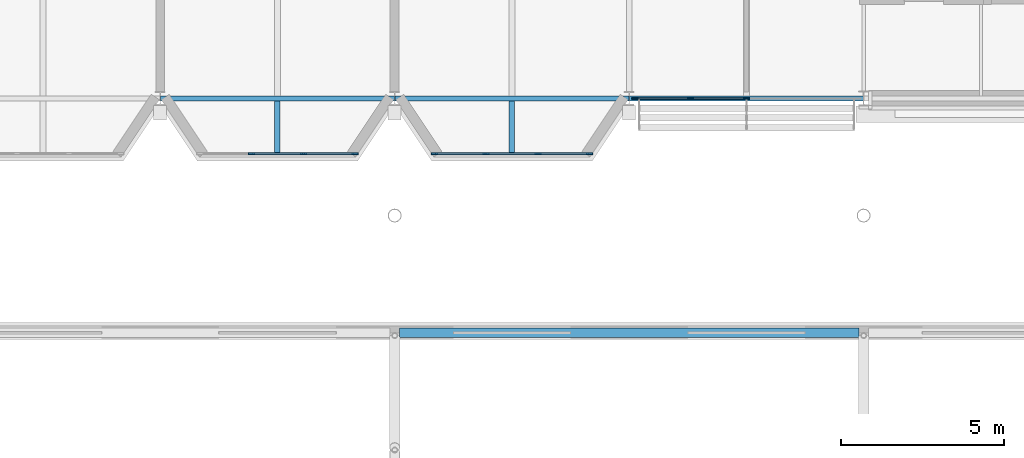
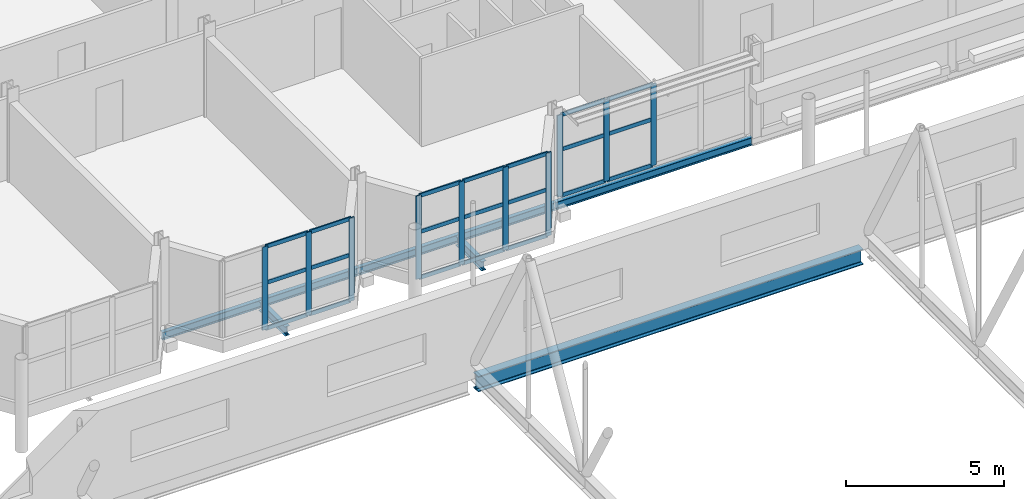
# One storey, part 50 of 142: 31 members, 6 beams, 3 elements without a shape of their own.
"""IFC4 building model written with IfcOpenShell, lengths in metres."""

from ifc_helpers import new_model, si_unit, direction, frame, origin, origin_2d, place, context, subcontext, project, spatial, rectangle, i_section, extrude, material, material_profile, profile_set, type_object, element, aggregate, save


model = new_model("IFC4")

# Units and contexts
model_context = context("Model", 3, precision=1e-05, world=origin(), true_north=direction((0.0, 1.0)))
body_context = subcontext(model_context, "Body", "Model", "MODEL_VIEW")
ifc_project = project(units=[si_unit("LENGTHUNIT", "METRE"), si_unit("AREAUNIT", "SQUARE_METRE"), si_unit("VOLUMEUNIT", "CUBIC_METRE"), si_unit("PLANEANGLEUNIT", "RADIAN"), si_unit("MASSUNIT", "GRAM", prefix="KILO")], contexts=[model_context])

# Site, building, storey
site_placement = place(None, origin())
site = spatial("IfcSite", under=ifc_project, at=site_placement, CompositionType="ELEMENT")
building_placement = place(site_placement, origin())
building = spatial("IfcBuilding", under=site, at=building_placement, Name="Kupolbacken Congress Centre", CompositionType="ELEMENT")
storey_placement = place(building_placement, frame((0.0, 0.0, 14.39990234375)))
storey = spatial("IfcBuildingStorey", under=building, at=storey_placement, Name="L04", CompositionType="ELEMENT", Elevation=14.39990234375)

# Beams
ifc_material_1 = material(Name="Steel S355", Category="steel")
ifc_material_profile_1 = material_profile(ifc_material_1, i_section(OverallWidth=0.14990234375, OverallDepth=0.300048828125, WebThickness=0.007080078125, FlangeThickness=0.0107421875, FilletRadius=0.014892578125, at=origin_2d()), Name="IPE 300")
ifc_profile_set_1 = profile_set([ifc_material_profile_1], Name="Steel S355")
beam_type_1 = type_object("IfcBeamType", Name="B04 beam IPE 300", PredefinedType="BEAM", material=ifc_profile_set_1)
beam_1_placement = place(storey_placement, frame((115.21044921875, 122.39990234375, -0.289794921875), z_axis=(1.0, 0.0, 0.0), x_axis=(0.0, 1.0, 0.0)))
element("IfcBeam", 1, at=beam_1_placement, inside=storey, type_object=beam_type_1, Name="S/floor/T/L04/R004", PredefinedType="BEAM", context=body_context, shape_type="SweptSolid", body=[
    extrude(i_section(OverallWidth=0.14990234375, OverallDepth=0.300048828125, WebThickness=0.007080078125, FlangeThickness=0.0107421875, FilletRadius=0.014892578125, at=origin_2d()), origin(), (0.0, 0.0, 1.0), 7.178955078125),
])
beam_2_placement = place(storey_placement, frame((122.410400390625, 122.39990234375, -0.289794921875), z_axis=(1.0, 0.0, 0.0), x_axis=(0.0, 1.0, 0.0)))
element("IfcBeam", 2, at=beam_2_placement, inside=storey, type_object=beam_type_1, Name="S/floor/T/L04/R005", PredefinedType="BEAM", context=body_context, shape_type="SweptSolid", body=[
    extrude(i_section(OverallWidth=0.14990234375, OverallDepth=0.300048828125, WebThickness=0.007080078125, FlangeThickness=0.0107421875, FilletRadius=0.014892578125, at=origin_2d()), origin(), (0.0, 0.0, 1.0), 7.17919921875),
])
beam_3_placement = place(storey_placement, frame((129.610595703125, 122.39990234375, -0.289794921875), z_axis=(1.0, 0.0, 0.0), x_axis=(0.0, 1.0, 0.0)))
element("IfcBeam", 3, at=beam_3_placement, inside=storey, type_object=beam_type_1, Name="S/floor/T/L04/R006", PredefinedType="BEAM", context=body_context, shape_type="SweptSolid", body=[
    extrude(i_section(OverallWidth=0.14990234375, OverallDepth=0.300048828125, WebThickness=0.007080078125, FlangeThickness=0.0107421875, FilletRadius=0.014892578125, at=origin_2d()), origin(), (0.0, 0.0, 1.0), 7.182373046875),
])
ifc_material_2 = material(Name="Steel S355", Category="steel")
ifc_material_profile_2 = material_profile(ifc_material_2, i_section(OverallWidth=0.169921875, OverallDepth=0.360107421875, WebThickness=0.008056640625, FlangeThickness=0.0126953125, FilletRadius=0.01806640625, at=origin_2d()), Name="IPE 360")
ifc_profile_set_2 = profile_set([ifc_material_profile_2], Name="Steel S355")
beam_type_2 = type_object("IfcBeamType", Name="B06 beam IPE 360", PredefinedType="BEAM", material=ifc_profile_set_2)
for number, where, z_axis, x_axis, name in (
    (4, (118.800048828125, 122.324951171875, -0.31982421875), (0.0, -1.0, 0.0), (1.0, 0.0, 0.0), "S/floor/T/L04/C087"),
    (5, (126.0, 122.324951171875, -0.31982421875), (0.0, -1.0, 0.0), (1.0, 0.0, 0.0), "S/floor/T/L04/C089"),
):
    element("IfcBeam", number, at=place(storey_placement, frame(where, z_axis=z_axis, x_axis=x_axis)), inside=storey, type_object=beam_type_2, Name=name, PredefinedType="BEAM", context=body_context, shape_type="SweptSolid", body=[
        extrude(i_section(OverallWidth=0.169921875, OverallDepth=0.360107421875, WebThickness=0.008056640625, FlangeThickness=0.0126953125, FilletRadius=0.01806640625, at=origin_2d()), origin(), (0.0, 0.0, 1.0), 1.6650390625),
    ])
ifc_material_3 = material(Name="Steel S355", Category="steel")
ifc_material_profile_3 = material_profile(ifc_material_3, i_section(OverallWidth=0.300048828125, OverallDepth=0.60009765625, WebThickness=0.015380859375, FlangeThickness=0.030029296875, FilletRadius=0.027099609375, at=origin_2d()), Name="HEB 600")
ifc_profile_set_3 = profile_set([ifc_material_profile_3], Name="Steel S355")
beam_type_3 = type_object("IfcBeamType", Name="B15 beam HEB 600", PredefinedType="BEAM", material=ifc_profile_set_3)
beam_4_placement = place(storey_placement, frame((122.550048828125, 115.199951171875, -0.2998046875), z_axis=(1.0, 0.0, 0.0), x_axis=(0.0, 1.0, 0.0)))
element("IfcBeam", 6, at=beam_4_placement, inside=storey, type_object=beam_type_3, Name="Edge girder", PredefinedType="BEAM", context=body_context, shape_type="SweptSolid", body=[
    extrude(i_section(OverallWidth=0.300048828125, OverallDepth=0.60009765625, WebThickness=0.015380859375, FlangeThickness=0.030029296875, FilletRadius=0.027099609375, at=origin_2d()), origin(), (0.0, 0.0, 1.0), 14.099853515625),
])

# Curtain wall, members
ifc_material_4 = material(Name="Aluminium mullion-transom frame with glass", Category="aluminium")
curtain_wall_type = type_object("IfcCurtainWallType", Name="CW1 curtain wall 7200x3600", PredefinedType="NOTDEFINED", material=ifc_material_4)
curtain_wall_1_placement = place(storey_placement, origin())
curtain_wall_1 = element("IfcCurtainWall", 7, at=curtain_wall_1_placement, inside=storey, type_object=curtain_wall_type, Name="E/T/S/L04/057/g0", PredefinedType="NOTDEFINED")
ifc_material_5 = material(Name="Aluminium alloy", Category="aluminium")
ifc_material_profile_4 = material_profile(ifc_material_5, rectangle(XDim=0.050048828125, YDim=0.199951171875, at=origin_2d()), Name="50 x 200")
ifc_profile_set_4 = profile_set([ifc_material_profile_4], Name="Aluminium alloy")
member_type_1 = type_object("IfcMemberType", Name="MU2 mullion 50x200", PredefinedType="MULLION", material=ifc_profile_set_4)
member_1_placement = place(storey_placement, frame((129.778564453125, 122.39990234375, 0.0), z_axis=(0.0, 0.0, 1.0), x_axis=(0.0, 1.0, 0.0)))
member_1 = element("IfcMember", 8, at=member_1_placement, type_object=member_type_1, Name="CW1 mullion 1", PredefinedType="MULLION", context=body_context, shape_type="SweptSolid", body=[
    extrude(rectangle(XDim=0.050048828125, YDim=0.199951171875, at=origin_2d()), origin(), (0.0, 0.0, 1.0), 3.16015625),
])
member_2_placement = place(storey_placement, frame((131.4775390625, 122.39990234375, 0.0), z_axis=(0.0, 0.0, 1.0), x_axis=(0.0, 1.0, 0.0)))
member_2 = element("IfcMember", 9, at=member_2_placement, type_object=member_type_1, Name="CW1 mullion 2", PredefinedType="MULLION", context=body_context, shape_type="SweptSolid", body=[
    extrude(rectangle(XDim=0.050048828125, YDim=0.199951171875, at=origin_2d()), origin(), (0.0, 0.0, 1.0), 3.16015625),
])
member_3_placement = place(storey_placement, frame((133.20166015625, 122.39990234375, 0.0), z_axis=(0.0, 0.0, 1.0), x_axis=(0.0, 1.0, 0.0)))
member_3 = element("IfcMember", 10, at=member_3_placement, type_object=member_type_1, Name="CW1 mullion 3", PredefinedType="MULLION", context=body_context, shape_type="SweptSolid", body=[
    extrude(rectangle(XDim=0.050048828125, YDim=0.199951171875, at=origin_2d()), origin(), (0.0, 0.0, 1.0), 3.16015625),
])

curtain_wall_2_placement = place(storey_placement, origin())
curtain_wall_2 = element("IfcCurtainWall", 11, at=curtain_wall_2_placement, inside=storey, type_object=curtain_wall_type, Name="E/T/cumba/L04/S/016/cw", PredefinedType="NOTDEFINED")
member_4_placement = place(storey_placement, frame((118.0, 120.699951171875, 0.0), z_axis=(0.0, 0.0, 1.0), x_axis=(0.0, 1.0, 0.0)))
member_4 = element("IfcMember", 12, at=member_4_placement, type_object=member_type_1, Name="CW1 mullion 2", PredefinedType="MULLION", context=body_context, shape_type="SweptSolid", body=[
    extrude(rectangle(XDim=0.050048828125, YDim=0.199951171875, at=origin_2d()), origin(), (0.0, 0.0, 1.0), 3.22021484375),
])
member_5_placement = place(storey_placement, frame((119.60009765625, 120.699951171875, 0.0), z_axis=(0.0, 0.0, 1.0), x_axis=(0.0, 1.0, 0.0)))
member_5 = element("IfcMember", 13, at=member_5_placement, type_object=member_type_1, Name="CW1 mullion 3", PredefinedType="MULLION", context=body_context, shape_type="SweptSolid", body=[
    extrude(rectangle(XDim=0.050048828125, YDim=0.199951171875, at=origin_2d()), origin(), (0.0, 0.0, 1.0), 3.22021484375),
])
member_6_placement = place(storey_placement, frame((121.175048828125, 120.699951171875, 0.0), z_axis=(0.0, 0.0, 1.0), x_axis=(0.0, 1.0, 0.0)))
member_6 = element("IfcMember", 14, at=member_6_placement, type_object=member_type_1, Name="CW1 mullion 4", PredefinedType="MULLION", context=body_context, shape_type="SweptSolid", body=[
    extrude(rectangle(XDim=0.050048828125, YDim=0.199951171875, at=origin_2d()), origin(), (0.0, 0.0, 1.0), 3.22021484375),
])

curtain_wall_3_placement = place(storey_placement, origin())
curtain_wall_3 = element("IfcCurtainWall", 15, at=curtain_wall_3_placement, inside=storey, type_object=curtain_wall_type, Name="E/T/cumba/L04/S/020/cw", PredefinedType="NOTDEFINED")
member_7_placement = place(storey_placement, frame((123.625, 120.699951171875, 0.0), z_axis=(0.0, 0.0, 1.0), x_axis=(0.0, 1.0, 0.0)))
member_7 = element("IfcMember", 16, at=member_7_placement, type_object=member_type_1, Name="CW1 mullion 1", PredefinedType="MULLION", context=body_context, shape_type="SweptSolid", body=[
    extrude(rectangle(XDim=0.050048828125, YDim=0.199951171875, at=origin_2d()), origin(), (0.0, 0.0, 1.0), 3.22021484375),
])
member_8_placement = place(storey_placement, frame((125.199951171875, 120.699951171875, 0.0), z_axis=(0.0, 0.0, 1.0), x_axis=(0.0, 1.0, 0.0)))
member_8 = element("IfcMember", 17, at=member_8_placement, type_object=member_type_1, Name="CW1 mullion 2", PredefinedType="MULLION", context=body_context, shape_type="SweptSolid", body=[
    extrude(rectangle(XDim=0.050048828125, YDim=0.199951171875, at=origin_2d()), origin(), (0.0, 0.0, 1.0), 3.22021484375),
])
member_9_placement = place(storey_placement, frame((126.800048828125, 120.699951171875, 0.0), z_axis=(0.0, 0.0, 1.0), x_axis=(0.0, 1.0, 0.0)))
member_9 = element("IfcMember", 18, at=member_9_placement, type_object=member_type_1, Name="CW1 mullion 3", PredefinedType="MULLION", context=body_context, shape_type="SweptSolid", body=[
    extrude(rectangle(XDim=0.050048828125, YDim=0.199951171875, at=origin_2d()), origin(), (0.0, 0.0, 1.0), 3.22021484375),
])
member_10_placement = place(storey_placement, frame((128.375, 120.699951171875, 0.0), z_axis=(0.0, 0.0, 1.0), x_axis=(0.0, 1.0, 0.0)))
member_10 = element("IfcMember", 19, at=member_10_placement, type_object=member_type_1, Name="CW1 mullion 4", PredefinedType="MULLION", context=body_context, shape_type="SweptSolid", body=[
    extrude(rectangle(XDim=0.050048828125, YDim=0.199951171875, at=origin_2d()), origin(), (0.0, 0.0, 1.0), 3.22021484375),
])

# Member
ifc_material_6 = material(Name="Aluminium alloy", Category="aluminium")
ifc_material_profile_5 = material_profile(ifc_material_6, rectangle(XDim=0.050048828125, YDim=0.14990234375, at=origin_2d()), Name="50 x 150")
ifc_profile_set_5 = profile_set([ifc_material_profile_5], Name="Aluminium alloy")
member_type_2 = type_object("IfcMemberType", Name="TR2 transom 50x150", PredefinedType="MULLION", material=ifc_profile_set_5)
member_11_placement = place(storey_placement, frame((129.803466796875, 122.39990234375, 0.025146484375), z_axis=(1.0, 0.0, 0.0), x_axis=(0.0, 1.0, 0.0)))
member_11 = element("IfcMember", 20, at=member_11_placement, type_object=member_type_2, Name="CW1 transom 1.1", PredefinedType="MULLION", context=body_context, shape_type="SweptSolid", body=[
    extrude(rectangle(XDim=0.050048828125, YDim=0.14990234375, at=origin_2d()), origin(), (0.0, 0.0, 1.0), 1.649169921875),
])

member_12_placement = place(storey_placement, frame((129.803466796875, 122.39990234375, 1.800048828125), z_axis=(1.0, 0.0, 0.0), x_axis=(0.0, 1.0, 0.0)))
member_12 = element("IfcMember", 21, at=member_12_placement, type_object=member_type_2, Name="CW1 transom 1.2", PredefinedType="MULLION", context=body_context, shape_type="SweptSolid", body=[
    extrude(rectangle(XDim=0.050048828125, YDim=0.14990234375, at=origin_2d()), origin(), (0.0, 0.0, 1.0), 1.649169921875),
])

member_13_placement = place(storey_placement, frame((129.803466796875, 122.39990234375, 3.135009765625), z_axis=(1.0, 0.0, 0.0), x_axis=(0.0, 1.0, 0.0)))
member_13 = element("IfcMember", 22, at=member_13_placement, type_object=member_type_2, Name="CW1 transom 1.3", PredefinedType="MULLION", context=body_context, shape_type="SweptSolid", body=[
    extrude(rectangle(XDim=0.050048828125, YDim=0.14990234375, at=origin_2d()), origin(), (0.0, 0.0, 1.0), 1.649169921875),
])

member_14_placement = place(storey_placement, frame((131.502685546875, 122.39990234375, 0.025146484375), z_axis=(1.0, 0.0, 0.0), x_axis=(0.0, 1.0, 0.0)))
member_14 = element("IfcMember", 23, at=member_14_placement, type_object=member_type_2, Name="CW1 transom 2.1", PredefinedType="MULLION", context=body_context, shape_type="SweptSolid", body=[
    extrude(rectangle(XDim=0.050048828125, YDim=0.14990234375, at=origin_2d()), origin(), (0.0, 0.0, 1.0), 1.674072265625),
])

member_15_placement = place(storey_placement, frame((131.502685546875, 122.39990234375, 1.800048828125), z_axis=(1.0, 0.0, 0.0), x_axis=(0.0, 1.0, 0.0)))
member_15 = element("IfcMember", 24, at=member_15_placement, type_object=member_type_2, Name="CW1 transom 2.2", PredefinedType="MULLION", context=body_context, shape_type="SweptSolid", body=[
    extrude(rectangle(XDim=0.050048828125, YDim=0.14990234375, at=origin_2d()), origin(), (0.0, 0.0, 1.0), 1.674072265625),
])

member_16_placement = place(storey_placement, frame((131.502685546875, 122.39990234375, 3.135009765625), z_axis=(1.0, 0.0, 0.0), x_axis=(0.0, 1.0, 0.0)))
member_16 = element("IfcMember", 25, at=member_16_placement, type_object=member_type_2, Name="CW1 transom 2.3", PredefinedType="MULLION", context=body_context, shape_type="SweptSolid", body=[
    extrude(rectangle(XDim=0.050048828125, YDim=0.14990234375, at=origin_2d()), origin(), (0.0, 0.0, 1.0), 1.674072265625),
])

aggregate(curtain_wall_1, [member_1, member_2, member_3, member_11, member_12, member_13, member_14, member_15, member_16])

member_17_placement = place(storey_placement, frame((118.02490234375, 120.699951171875, 0.025146484375), z_axis=(1.0, 0.0, 0.0), x_axis=(0.0, 1.0, 0.0)))
member_17 = element("IfcMember", 26, at=member_17_placement, type_object=member_type_2, Name="CW1 transom 2.1", PredefinedType="MULLION", context=body_context, shape_type="SweptSolid", body=[
    extrude(rectangle(XDim=0.050048828125, YDim=0.14990234375, at=origin_2d()), origin(), (0.0, 0.0, 1.0), 1.550048828125),
])

member_18_placement = place(storey_placement, frame((118.02490234375, 120.699951171875, 1.800048828125), z_axis=(1.0, 0.0, 0.0), x_axis=(0.0, 1.0, 0.0)))
member_18 = element("IfcMember", 27, at=member_18_placement, type_object=member_type_2, Name="CW1 transom 2.2", PredefinedType="MULLION", context=body_context, shape_type="SweptSolid", body=[
    extrude(rectangle(XDim=0.050048828125, YDim=0.14990234375, at=origin_2d()), origin(), (0.0, 0.0, 1.0), 1.550048828125),
])

member_19_placement = place(storey_placement, frame((118.02490234375, 120.699951171875, 3.195068359375), z_axis=(1.0, 0.0, 0.0), x_axis=(0.0, 1.0, 0.0)))
member_19 = element("IfcMember", 28, at=member_19_placement, type_object=member_type_2, Name="CW1 transom 2.3", PredefinedType="MULLION", context=body_context, shape_type="SweptSolid", body=[
    extrude(rectangle(XDim=0.050048828125, YDim=0.14990234375, at=origin_2d()), origin(), (0.0, 0.0, 1.0), 1.550048828125),
])

member_20_placement = place(storey_placement, frame((119.625, 120.699951171875, 0.025146484375), z_axis=(1.0, 0.0, 0.0), x_axis=(0.0, 1.0, 0.0)))
member_20 = element("IfcMember", 29, at=member_20_placement, type_object=member_type_2, Name="CW1 transom 3.1", PredefinedType="MULLION", context=body_context, shape_type="SweptSolid", body=[
    extrude(rectangle(XDim=0.050048828125, YDim=0.14990234375, at=origin_2d()), origin(), (0.0, 0.0, 1.0), 1.52490234375),
])

member_21_placement = place(storey_placement, frame((119.625, 120.699951171875, 1.800048828125), z_axis=(1.0, 0.0, 0.0), x_axis=(0.0, 1.0, 0.0)))
member_21 = element("IfcMember", 30, at=member_21_placement, type_object=member_type_2, Name="CW1 transom 3.2", PredefinedType="MULLION", context=body_context, shape_type="SweptSolid", body=[
    extrude(rectangle(XDim=0.050048828125, YDim=0.14990234375, at=origin_2d()), origin(), (0.0, 0.0, 1.0), 1.52490234375),
])

member_22_placement = place(storey_placement, frame((119.625, 120.699951171875, 3.195068359375), z_axis=(1.0, 0.0, 0.0), x_axis=(0.0, 1.0, 0.0)))
member_22 = element("IfcMember", 31, at=member_22_placement, type_object=member_type_2, Name="CW1 transom 3.3", PredefinedType="MULLION", context=body_context, shape_type="SweptSolid", body=[
    extrude(rectangle(XDim=0.050048828125, YDim=0.14990234375, at=origin_2d()), origin(), (0.0, 0.0, 1.0), 1.52490234375),
])

aggregate(curtain_wall_2, [member_4, member_5, member_6, member_17, member_18, member_19, member_20, member_21, member_22])

member_23_placement = place(storey_placement, frame((123.64990234375, 120.699951171875, 0.025146484375), z_axis=(1.0, 0.0, 0.0), x_axis=(0.0, 1.0, 0.0)))
member_23 = element("IfcMember", 32, at=member_23_placement, type_object=member_type_2, Name="CW1 transom 1.1", PredefinedType="MULLION", context=body_context, shape_type="SweptSolid", body=[
    extrude(rectangle(XDim=0.050048828125, YDim=0.14990234375, at=origin_2d()), origin(), (0.0, 0.0, 1.0), 1.525146484375),
])

member_24_placement = place(storey_placement, frame((123.64990234375, 120.699951171875, 1.800048828125), z_axis=(1.0, 0.0, 0.0), x_axis=(0.0, 1.0, 0.0)))
member_24 = element("IfcMember", 33, at=member_24_placement, type_object=member_type_2, Name="CW1 transom 1.2", PredefinedType="MULLION", context=body_context, shape_type="SweptSolid", body=[
    extrude(rectangle(XDim=0.050048828125, YDim=0.14990234375, at=origin_2d()), origin(), (0.0, 0.0, 1.0), 1.525146484375),
])

member_25_placement = place(storey_placement, frame((123.64990234375, 120.699951171875, 3.195068359375), z_axis=(1.0, 0.0, 0.0), x_axis=(0.0, 1.0, 0.0)))
member_25 = element("IfcMember", 34, at=member_25_placement, type_object=member_type_2, Name="CW1 transom 1.3", PredefinedType="MULLION", context=body_context, shape_type="SweptSolid", body=[
    extrude(rectangle(XDim=0.050048828125, YDim=0.14990234375, at=origin_2d()), origin(), (0.0, 0.0, 1.0), 1.525146484375),
])

member_26_placement = place(storey_placement, frame((125.22509765625, 120.699951171875, 0.025146484375), z_axis=(1.0, 0.0, 0.0), x_axis=(0.0, 1.0, 0.0)))
member_26 = element("IfcMember", 35, at=member_26_placement, type_object=member_type_2, Name="CW1 transom 2.1", PredefinedType="MULLION", context=body_context, shape_type="SweptSolid", body=[
    extrude(rectangle(XDim=0.050048828125, YDim=0.14990234375, at=origin_2d()), origin(), (0.0, 0.0, 1.0), 1.5498046875),
])

member_27_placement = place(storey_placement, frame((125.22509765625, 120.699951171875, 1.800048828125), z_axis=(1.0, 0.0, 0.0), x_axis=(0.0, 1.0, 0.0)))
member_27 = element("IfcMember", 36, at=member_27_placement, type_object=member_type_2, Name="CW1 transom 2.2", PredefinedType="MULLION", context=body_context, shape_type="SweptSolid", body=[
    extrude(rectangle(XDim=0.050048828125, YDim=0.14990234375, at=origin_2d()), origin(), (0.0, 0.0, 1.0), 1.5498046875),
])

member_28_placement = place(storey_placement, frame((125.22509765625, 120.699951171875, 3.195068359375), z_axis=(1.0, 0.0, 0.0), x_axis=(0.0, 1.0, 0.0)))
member_28 = element("IfcMember", 37, at=member_28_placement, type_object=member_type_2, Name="CW1 transom 2.3", PredefinedType="MULLION", context=body_context, shape_type="SweptSolid", body=[
    extrude(rectangle(XDim=0.050048828125, YDim=0.14990234375, at=origin_2d()), origin(), (0.0, 0.0, 1.0), 1.5498046875),
])

member_29_placement = place(storey_placement, frame((126.824951171875, 120.699951171875, 0.025146484375), z_axis=(1.0, 0.0, 0.0), x_axis=(0.0, 1.0, 0.0)))
member_29 = element("IfcMember", 38, at=member_29_placement, type_object=member_type_2, Name="CW1 transom 3.1", PredefinedType="MULLION", context=body_context, shape_type="SweptSolid", body=[
    extrude(rectangle(XDim=0.050048828125, YDim=0.14990234375, at=origin_2d()), origin(), (0.0, 0.0, 1.0), 1.525146484375),
])

member_30_placement = place(storey_placement, frame((126.824951171875, 120.699951171875, 1.800048828125), z_axis=(1.0, 0.0, 0.0), x_axis=(0.0, 1.0, 0.0)))
member_30 = element("IfcMember", 39, at=member_30_placement, type_object=member_type_2, Name="CW1 transom 3.2", PredefinedType="MULLION", context=body_context, shape_type="SweptSolid", body=[
    extrude(rectangle(XDim=0.050048828125, YDim=0.14990234375, at=origin_2d()), origin(), (0.0, 0.0, 1.0), 1.525146484375),
])

member_31_placement = place(storey_placement, frame((126.824951171875, 120.699951171875, 3.195068359375), z_axis=(1.0, 0.0, 0.0), x_axis=(0.0, 1.0, 0.0)))
member_31 = element("IfcMember", 40, at=member_31_placement, type_object=member_type_2, Name="CW1 transom 3.3", PredefinedType="MULLION", context=body_context, shape_type="SweptSolid", body=[
    extrude(rectangle(XDim=0.050048828125, YDim=0.14990234375, at=origin_2d()), origin(), (0.0, 0.0, 1.0), 1.525146484375),
])

aggregate(curtain_wall_3, [member_7, member_8, member_9, member_10, member_23, member_24, member_25, member_26, member_27, member_28, member_29, member_30, member_31])

save(model, "model.ifc")
